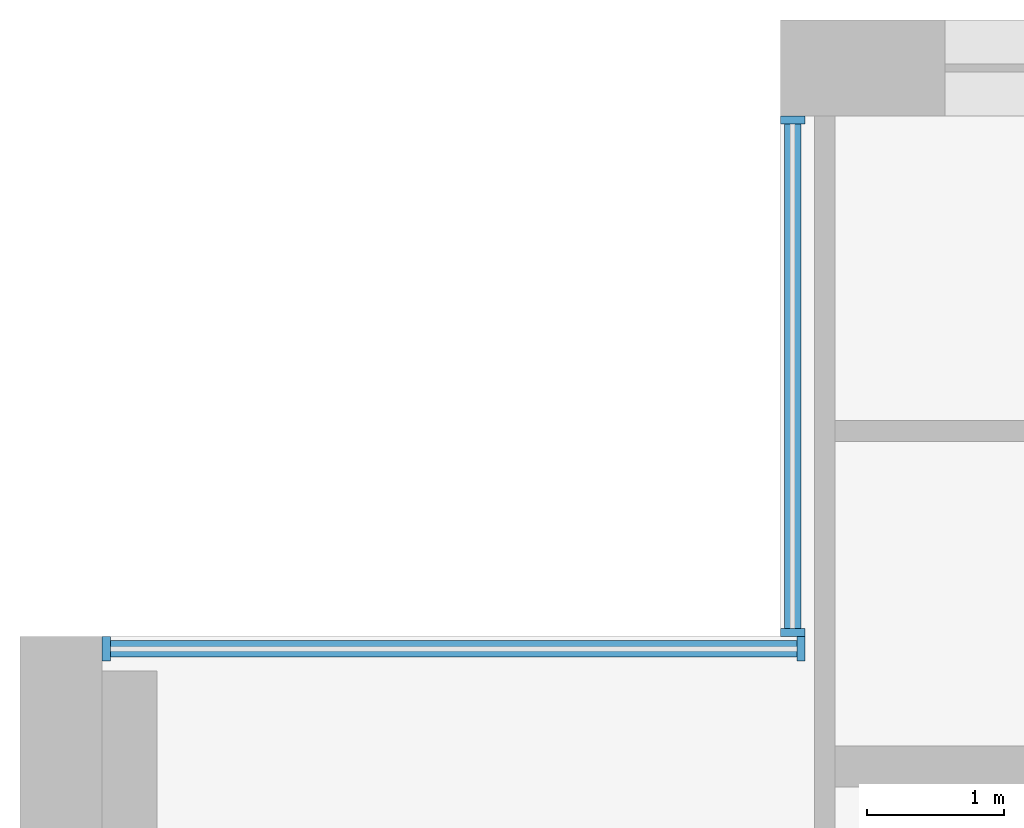
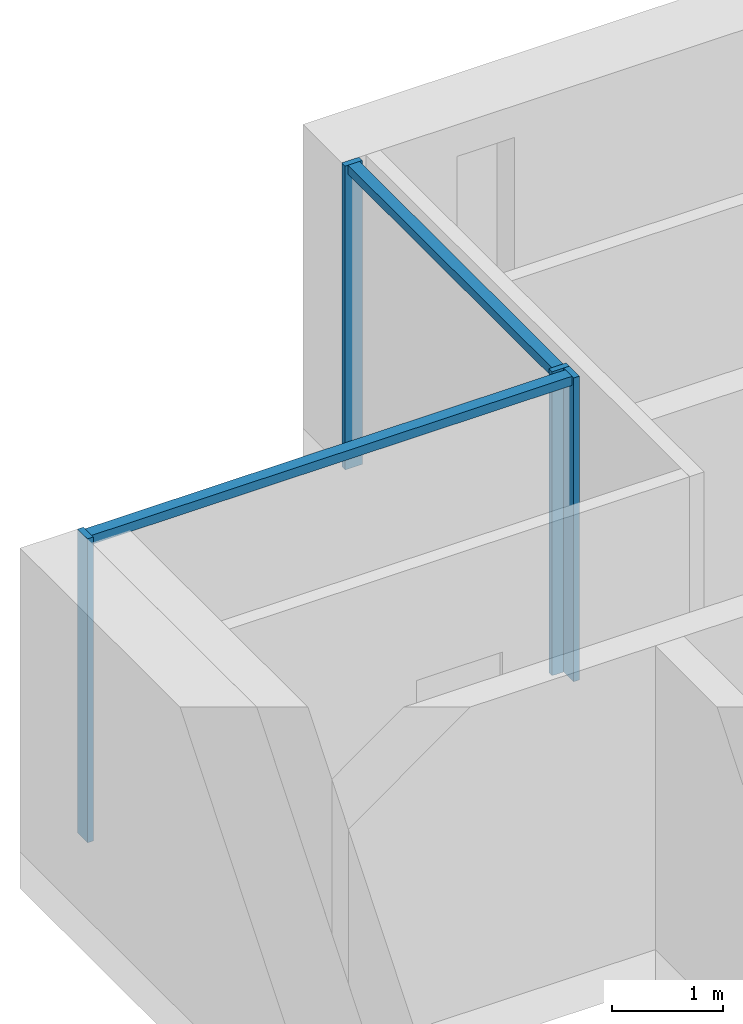
# One storey, part 4 of 17: 6 members, 2 elements without a shape of their own.
"""IFC4 building model written with IfcOpenShell, lengths in metres."""

from ifc_helpers import new_model, si_unit, direction, frame, origin, origin_2d, place, context, subcontext, project, spatial, rectangle, extrude, material, material_profile, profile_set, type_object, element, aggregate, save


model = new_model("IFC4")

# Units and contexts
model_context = context("Model", 3, precision=1e-05, world=origin(), true_north=direction((0.0, 1.0)))
body_context = subcontext(model_context, "Body", "Model", "MODEL_VIEW")
ifc_project = project(units=[si_unit("LENGTHUNIT", "METRE"), si_unit("AREAUNIT", "SQUARE_METRE"), si_unit("VOLUMEUNIT", "CUBIC_METRE"), si_unit("PLANEANGLEUNIT", "RADIAN"), si_unit("MASSUNIT", "GRAM", prefix="KILO")], contexts=[model_context])

# Site, building, storey
site_placement = place(None, origin())
site = spatial("IfcSite", under=ifc_project, at=site_placement, CompositionType="ELEMENT")
building_placement = place(site_placement, origin())
building = spatial("IfcBuilding", under=site, at=building_placement, Name="Calvaro Tower", CompositionType="ELEMENT")
storey_placement = place(building_placement, frame((0.0, 0.0, 200.5)))
storey = spatial("IfcBuildingStorey", under=building, at=storey_placement, Name="L50", CompositionType="ELEMENT", Elevation=200.5)

# Curtain wall, members
ifc_material_1 = material(Name="Anodised aluminium", Category="aluminium")
curtain_wall_type = type_object("IfcCurtainWallType", Name="Office curtain wall, upper zone", PredefinedType="NOTDEFINED", material=ifc_material_1)
curtain_wall_1_placement = place(storey_placement, origin())
curtain_wall_1 = element("IfcCurtainWall", 1, at=curtain_wall_1_placement, inside=storey, type_object=curtain_wall_type, Name="CW3 corner curtain wall", PredefinedType="NOTDEFINED")
ifc_material_2 = material(Name="Anodised aluminium", Category="aluminium")
ifc_material_profile_1 = material_profile(ifc_material_2, rectangle(XDim=0.179931640625, YDim=0.06005859375, at=origin_2d()), Name="Mullion S3 60 x 180")
ifc_profile_set_1 = profile_set([ifc_material_profile_1], Name="Anodised aluminium")
member_type_1 = type_object("IfcMemberType", Name="Mullion S3 60 x 180", PredefinedType="MULLION", material=ifc_profile_set_1)
member_1_placement = place(storey_placement, frame((11.639892578125, 41.530029296875, 0.0), z_axis=(0.0, 0.0, 1.0), x_axis=(-1.0, 0.0, 0.0)))
member_1 = element("IfcMember", 2, at=member_1_placement, type_object=member_type_1, Name="CW3 mullion 1", PredefinedType="MULLION", context=body_context, shape_type="SweptSolid", body=[
    extrude(rectangle(XDim=0.179931640625, YDim=0.06005859375, at=origin_2d()), origin(), (0.0, 0.0, 1.0), 3.35009765625),
])
member_2_placement = place(storey_placement, frame((11.639892578125, 45.27001953125, 0.0), z_axis=(0.0, 0.0, 1.0), x_axis=(-1.0, 0.0, 0.0)))
member_2 = element("IfcMember", 3, at=member_2_placement, type_object=member_type_1, Name="CW3 mullion 2", PredefinedType="MULLION", context=body_context, shape_type="SweptSolid", body=[
    extrude(rectangle(XDim=0.179931640625, YDim=0.06005859375, at=origin_2d()), origin(), (0.0, 0.0, 1.0), 3.35009765625),
])

curtain_wall_2_placement = place(storey_placement, origin())
curtain_wall_2 = element("IfcCurtainWall", 4, at=curtain_wall_2_placement, inside=storey, type_object=curtain_wall_type, Name="CW3 corner curtain wall", PredefinedType="NOTDEFINED")
member_3_placement = place(storey_placement, frame((6.6298828125, 41.409912109375, 0.0), z_axis=(0.0, 0.0, 1.0), x_axis=(0.0, 1.0, 0.0)))
member_3 = element("IfcMember", 5, at=member_3_placement, type_object=member_type_1, Name="CW3 mullion 1", PredefinedType="MULLION", context=body_context, shape_type="SweptSolid", body=[
    extrude(rectangle(XDim=0.179931640625, YDim=0.06005859375, at=origin_2d()), origin(), (0.0, 0.0, 1.0), 3.35009765625),
])
member_4_placement = place(storey_placement, frame((11.699951171875, 41.409912109375, 0.0), z_axis=(0.0, 0.0, 1.0), x_axis=(0.0, 1.0, 0.0)))
member_4 = element("IfcMember", 6, at=member_4_placement, type_object=member_type_1, Name="CW3 mullion 2", PredefinedType="MULLION", context=body_context, shape_type="SweptSolid", body=[
    extrude(rectangle(XDim=0.179931640625, YDim=0.06005859375, at=origin_2d()), origin(), (0.0, 0.0, 1.0), 3.35009765625),
])

# Member
ifc_material_3 = material(Name="Anodised aluminium", Category="aluminium")
ifc_material_profile_2 = material_profile(ifc_material_3, rectangle(XDim=0.1201171875, YDim=0.10009765625, at=origin_2d()), Name="Transom S3 100 x 120")
ifc_profile_set_2 = profile_set([ifc_material_profile_2], Name="Anodised aluminium")
member_type_2 = type_object("IfcMemberType", Name="Transom S3 100 x 120", PredefinedType="USERDEFINED", material=ifc_profile_set_2)
member_5_placement = place(storey_placement, frame((11.639892578125, 41.56005859375, 3.300048828125), z_axis=(0.0, 1.0, 0.0), x_axis=(-1.0, 0.0, 0.0)))
member_5 = element("IfcMember", 7, at=member_5_placement, type_object=member_type_2, Name="CW3 transom 1.1", ObjectType="TRANSOM", PredefinedType="USERDEFINED", context=body_context, shape_type="SweptSolid", body=[
    extrude(rectangle(XDim=0.1201171875, YDim=0.10009765625, at=origin_2d()), origin(), (0.0, 0.0, 1.0), 3.679931640625),
])

aggregate(curtain_wall_1, [member_1, member_2, member_5])

member_6_placement = place(storey_placement, frame((6.659912109375, 41.409912109375, 3.300048828125), z_axis=(1.0, 0.0, 0.0), x_axis=(0.0, 1.0, 0.0)))
member_6 = element("IfcMember", 8, at=member_6_placement, type_object=member_type_2, Name="CW3 transom 1.1", ObjectType="TRANSOM", PredefinedType="USERDEFINED", context=body_context, shape_type="SweptSolid", body=[
    extrude(rectangle(XDim=0.1201171875, YDim=0.10009765625, at=origin_2d()), origin(), (0.0, 0.0, 1.0), 5.010009765625),
])

aggregate(curtain_wall_2, [member_3, member_4, member_6])

save(model, "model.ifc")
